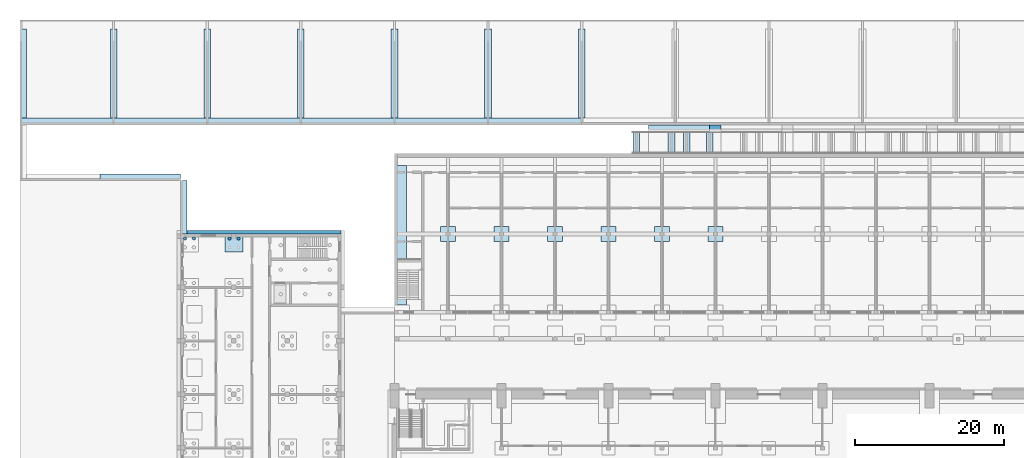
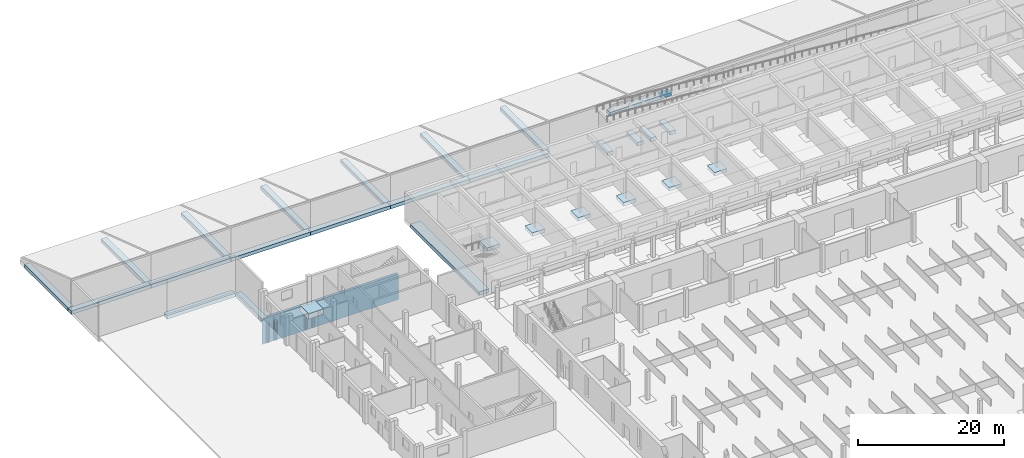
# One storey, part 11 of 73: 30 footings, 4 piles.
"""IFC4 building model written with IfcOpenShell, lengths in metres."""

from ifc_helpers import new_model, si_unit, direction, frame, origin, origin_2d, place, context, subcontext, project, spatial, polyline, circle, outline, extrude, material, material_profile, profile_set, type_object, element, save


model = new_model("IFC4")

# Units and contexts
model_context = context("Model", 3, precision=1e-05, world=origin(), true_north=direction((0.0, 1.0)))
body_context = subcontext(model_context, "Body", "Model", "MODEL_VIEW")
ifc_project = project(units=[si_unit("LENGTHUNIT", "METRE"), si_unit("AREAUNIT", "SQUARE_METRE"), si_unit("VOLUMEUNIT", "CUBIC_METRE"), si_unit("PLANEANGLEUNIT", "RADIAN"), si_unit("MASSUNIT", "GRAM", prefix="KILO")], contexts=[model_context])

# Site, building, storey
site_placement = place(None, origin())
site = spatial("IfcSite", under=ifc_project, at=site_placement, CompositionType="ELEMENT")
building_placement = place(site_placement, origin())
building = spatial("IfcBuilding", under=site, at=building_placement, Name="Alderwick Market Hall", CompositionType="ELEMENT")
storey_placement = place(building_placement, origin())
storey = spatial("IfcBuildingStorey", under=building, at=storey_placement, Name="LG", CompositionType="ELEMENT", Elevation=0.0)

# Footings
ifc_material_1 = material(Name="Concrete 4000 psi (f'c 28 MPa)", Category="concrete")
footing_type_1 = type_object("IfcFootingType", Name="A Pad Footing 2000x2000x600", PredefinedType="PAD_FOOTING", material=ifc_material_1)
footing_1_placement = place(storey_placement, frame((0.0, 0.0, -0.60009765625)))
element("IfcFooting", 1, at=footing_1_placement, inside=storey, type_object=footing_type_1, Name="A.N.pad.M00", PredefinedType="PAD_FOOTING", context=body_context, shape_type="SweptSolid", body=[
    extrude(outline(polyline([(56.60009765625, 128.60009765625), (58.60009765625, 128.60009765625), (58.60009765625, 130.60009765625), (56.60009765625, 130.60009765625), (56.60009765625, 128.60009765625)])), origin(), (0.0, 0.0, 1.0), 0.60009765625),
])
footing_2_placement = place(storey_placement, frame((0.0, 0.0, -0.60009765625)))
element("IfcFooting", 2, at=footing_2_placement, inside=storey, type_object=footing_type_1, Name="A.N.pad.M01", PredefinedType="PAD_FOOTING", context=body_context, shape_type="SweptSolid", body=[
    extrude(outline(polyline([(63.800048828125, 128.60009765625), (65.800048828125, 128.60009765625), (65.800048828125, 130.60009765625), (63.800048828125, 130.60009765625), (63.800048828125, 128.60009765625)])), origin(), (0.0, 0.0, 1.0), 0.60009765625),
])
footing_3_placement = place(storey_placement, frame((0.0, 0.0, -0.60009765625)))
element("IfcFooting", 3, at=footing_3_placement, inside=storey, type_object=footing_type_1, Name="A.N.pad.M02", PredefinedType="PAD_FOOTING", context=body_context, shape_type="SweptSolid", body=[
    extrude(outline(polyline([(71.0, 128.60009765625), (73.0, 128.60009765625), (73.0, 130.60009765625), (71.0, 130.60009765625), (71.0, 128.60009765625)])), origin(), (0.0, 0.0, 1.0), 0.60009765625),
])
footing_4_placement = place(storey_placement, frame((0.0, 0.0, -0.60009765625)))
element("IfcFooting", 4, at=footing_4_placement, inside=storey, type_object=footing_type_1, Name="A.N.pad.M03", PredefinedType="PAD_FOOTING", context=body_context, shape_type="SweptSolid", body=[
    extrude(outline(polyline([(78.199951171875, 128.60009765625), (80.199951171875, 128.60009765625), (80.199951171875, 130.60009765625), (78.199951171875, 130.60009765625), (78.199951171875, 128.60009765625)])), origin(), (0.0, 0.0, 1.0), 0.60009765625),
])
footing_5_placement = place(storey_placement, frame((0.0, 0.0, -0.60009765625)))
element("IfcFooting", 5, at=footing_5_placement, inside=storey, type_object=footing_type_1, Name="A.N.pad.M04", PredefinedType="PAD_FOOTING", context=body_context, shape_type="SweptSolid", body=[
    extrude(outline(polyline([(85.39990234375, 128.60009765625), (87.39990234375, 128.60009765625), (87.39990234375, 130.60009765625), (85.39990234375, 130.60009765625), (85.39990234375, 128.60009765625)])), origin(), (0.0, 0.0, 1.0), 0.60009765625),
])
footing_6_placement = place(storey_placement, frame((0.0, 0.0, -0.60009765625)))
element("IfcFooting", 6, at=footing_6_placement, inside=storey, type_object=footing_type_1, Name="A.N.pad.M05", PredefinedType="PAD_FOOTING", context=body_context, shape_type="SweptSolid", body=[
    extrude(outline(polyline([(92.60009765625, 128.60009765625), (94.60009765625, 128.60009765625), (94.60009765625, 130.60009765625), (92.60009765625, 130.60009765625), (92.60009765625, 128.60009765625)])), origin(), (0.0, 0.0, 1.0), 0.60009765625),
])
footing_type_2 = type_object("IfcFootingType", Name="A Strip Footing 1600x600", PredefinedType="STRIP_FOOTING", material=ifc_material_1)
footing_7_placement = place(storey_placement, frame((0.0, 0.0, -0.60009765625)))
element("IfcFooting", 7, at=footing_7_placement, inside=storey, type_object=footing_type_2, Name="A.N.strip.W", PredefinedType="STRIP_FOOTING", context=body_context, shape_type="SweptSolid", body=[
    extrude(outline(polyline([(50.39990234375, 120.050048828125), (52.0, 120.050048828125), (52.0, 138.800048828125), (50.39990234375, 138.800048828125), (50.39990234375, 120.050048828125)])), origin(), (0.0, 0.0, 1.0), 0.60009765625),
])

# Piles
ifc_material_2 = material(Name="Concrete 5000 psi (f'c 35 MPa)", Category="concrete")
ifc_material_profile = material_profile(ifc_material_2, circle(Radius=0.22509765625, at=origin_2d()), Name="B Bored Pile D450")
ifc_profile_set = profile_set([ifc_material_profile], Name="Concrete 5000 psi (f'c 35 MPa)")
pile_type = type_object("IfcPileType", Name="B Bored Pile D450", PredefinedType="BORED", material=ifc_profile_set)
for number, where, z_axis, x_axis, name in (
    (8, (22.199951171875, 129.0, -0.824951171875), (0.0, 0.0, -1.0), (1.0, 0.0, 0.0), "B.N.cap.003-003.pile3"),
    (9, (23.39990234375, 129.0, -0.824951171875), (0.0, 0.0, -1.0), (1.0, 0.0, 0.0), "B.N.cap.003-003.pile4"),
    (10, (28.199951171875, 129.0, -0.824951171875), (0.0, 0.0, -1.0), (1.0, 0.0, 0.0), "B.N.cap.072-003.pile3"),
    (11, (29.39990234375, 129.0, -0.824951171875), (0.0, 0.0, -1.0), (1.0, 0.0, 0.0), "B.N.cap.072-003.pile4"),
):
    element("IfcPile", number, at=place(storey_placement, frame(where, z_axis=z_axis, x_axis=x_axis)), inside=storey, type_object=pile_type, Name=name, PredefinedType="BORED", context=body_context, shape_type="SweptSolid", body=[
        extrude(circle(Radius=0.22509765625, at=origin_2d()), origin(), (0.0, 0.0, 1.0), 3.074951171875),
    ])

# Footings
footing_type_3 = type_object("IfcFootingType", Name="B Pile Cap 2400x2400x900", PredefinedType="PILE_CAP", material=ifc_material_2)
footing_8_placement = place(storey_placement, frame((0.0, 0.0, -0.89990234375)))
element("IfcFooting", 12, at=footing_8_placement, inside=storey, type_object=footing_type_3, Name="B.N.cap.072-003", PredefinedType="PILE_CAP", context=body_context, shape_type="SweptSolid", body=[
    extrude(outline(polyline([(27.60009765625, 127.199951171875), (30.0, 127.199951171875), (30.0, 129.60009765625), (27.60009765625, 129.60009765625), (27.60009765625, 127.199951171875)])), origin(), (0.0, 0.0, 1.0), 0.89990234375),
])
footing_type_4 = type_object("IfcFootingType", Name="S Perimeter Pile Wall 450", PredefinedType="STRIP_FOOTING", material=ifc_material_2)
footing_9_placement = place(storey_placement, frame((0.0, 0.0, -4.5)))
element("IfcFooting", 13, at=footing_9_placement, inside=storey, type_object=footing_type_4, Name="Pile wall Nn 08", PredefinedType="STRIP_FOOTING", context=body_context, shape_type="SweptSolid", body=[
    extrude(outline(polyline([(22.5, 130.050048828125), (22.5, 129.610107421875), (21.60009765625, 129.610107421875), (21.60009765625, 129.60009765625), (24.0, 129.60009765625), (27.60009765625, 129.60009765625), (30.0, 129.60009765625), (33.60009765625, 129.60009765625), (43.199951171875, 129.60009765625), (43.199951171875, 130.050048828125), (22.5, 130.050048828125)])), origin(), (0.0, 0.0, 1.0), 4.25),
])
footing_type_5 = type_object("IfcFootingType", Name="S Strip Footing 900", PredefinedType="STRIP_FOOTING", material=ifc_material_1)
footing_10_placement = place(storey_placement, frame((0.0, 0.0, -0.85009765625)))
element("IfcFooting", 14, at=footing_10_placement, inside=storey, type_object=footing_type_5, Name="S.efoot.03b.1", PredefinedType="STRIP_FOOTING", context=body_context, shape_type="SweptSolid", body=[
    extrude(outline(polyline([(21.60009765625, 137.699951171875), (10.800048828125, 137.699951171875), (10.800048828125, 136.800048828125), (21.60009765625, 136.800048828125), (21.60009765625, 137.699951171875)])), origin(), (0.0, 0.0, 1.0), 0.60009765625),
])
footing_11_placement = place(storey_placement, frame((0.0, 0.0, -0.85009765625)))
element("IfcFooting", 15, at=footing_11_placement, inside=storey, type_object=footing_type_5, Name="S.efoot.04a.1", PredefinedType="STRIP_FOOTING", context=body_context, shape_type="SweptSolid", body=[
    extrude(outline(polyline([(22.5, 129.610107421875), (22.5, 136.800048828125), (21.60009765625, 136.800048828125), (21.60009765625, 129.610107421875), (22.5, 129.610107421875)])), origin(), (0.0, 0.0, 1.0), 0.60009765625),
])
footing_12_placement = place(storey_placement, frame((0.0, 0.0, 3.264404296875)))
element("IfcFooting", 16, at=footing_12_placement, inside=storey, type_object=footing_type_5, Name="S.tfoot.N.13", PredefinedType="STRIP_FOOTING", context=body_context, shape_type="SweptSolid", body=[
    extrude(outline(polyline([(94.3291015625, 143.39990234375), (94.3291015625, 144.300048828125), (92.8291015625, 144.300048828125), (92.8291015625, 143.39990234375), (94.3291015625, 143.39990234375)])), origin(), (0.0, 0.0, 1.0), 0.599853515625),
])
footing_13_placement = place(storey_placement, frame((0.0, 0.0, 3.264404296875)))
element("IfcFooting", 17, at=footing_13_placement, inside=storey, type_object=footing_type_5, Name="S.tfoot.N.14", PredefinedType="STRIP_FOOTING", context=body_context, shape_type="SweptSolid", body=[
    extrude(outline(polyline([(92.8291015625, 143.39990234375), (92.8291015625, 144.300048828125), (84.60009765625, 144.300048828125), (84.60009765625, 143.39990234375), (92.8291015625, 143.39990234375)])), origin(), (0.0, 0.0, 1.0), 0.599853515625),
])
footing_14_placement = place(storey_placement, frame((0.0, 0.0, -0.85009765625)))
element("IfcFooting", 18, at=footing_14_placement, inside=storey, type_object=footing_type_5, Name="Ramp support footing N6c", PredefinedType="STRIP_FOOTING", context=body_context, shape_type="SweptSolid", body=[
    extrude(outline(polyline([(93.279052734375, 140.39990234375), (93.279052734375, 143.39990234375), (92.37890625, 143.39990234375), (92.37890625, 140.39990234375), (93.279052734375, 140.39990234375)])), origin(), (0.0, 0.0, 1.0), 0.60009765625),
])
footing_15_placement = place(storey_placement, frame((0.0, 0.0, -0.85009765625)))
element("IfcFooting", 19, at=footing_15_placement, inside=storey, type_object=footing_type_5, Name="Ramp support footing N7b", PredefinedType="STRIP_FOOTING", context=body_context, shape_type="SweptSolid", body=[
    extrude(outline(polyline([(90.193115234375, 140.39990234375), (90.193115234375, 143.39990234375), (89.293212890625, 143.39990234375), (89.293212890625, 140.39990234375), (90.193115234375, 140.39990234375)])), origin(), (0.0, 0.0, 1.0), 0.60009765625),
])
footing_16_placement = place(storey_placement, frame((0.0, 0.0, -0.85009765625)))
element("IfcFooting", 20, at=footing_16_placement, inside=storey, type_object=footing_type_5, Name="Ramp support footing N7d", PredefinedType="STRIP_FOOTING", context=body_context, shape_type="SweptSolid", body=[
    extrude(outline(polyline([(88.135986328125, 140.39990234375), (88.135986328125, 143.39990234375), (87.23583984375, 143.39990234375), (87.23583984375, 140.39990234375), (88.135986328125, 140.39990234375)])), origin(), (0.0, 0.0, 1.0), 0.60009765625),
])
footing_17_placement = place(storey_placement, frame((0.0, 0.0, -0.85009765625)))
element("IfcFooting", 21, at=footing_17_placement, inside=storey, type_object=footing_type_5, Name="Ramp support footing N7c", PredefinedType="STRIP_FOOTING", context=body_context, shape_type="SweptSolid", body=[
    extrude(outline(polyline([(83.39990234375, 140.39990234375), (83.39990234375, 143.39990234375), (82.5, 143.39990234375), (82.5, 140.39990234375), (83.39990234375, 140.39990234375)])), origin(), (0.0, 0.0, 1.0), 0.60009765625),
])
footing_18_placement = place(storey_placement, frame((0.0, 0.0, -0.85009765625)))
element("IfcFooting", 22, at=footing_18_placement, inside=storey, type_object=footing_type_5, Name="S.berm.N.cfoot.01", PredefinedType="STRIP_FOOTING", context=body_context, shape_type="SweptSolid", body=[
    extrude(outline(polyline([(12.60009765625, 144.300048828125), (12.60009765625, 145.199951171875), (0.0, 145.199951171875), (0.0, 144.300048828125), (12.60009765625, 144.300048828125)])), origin(), (0.0, 0.0, 1.0), 0.60009765625),
])
footing_19_placement = place(storey_placement, frame((0.0, 0.0, -0.85009765625)))
element("IfcFooting", 23, at=footing_19_placement, inside=storey, type_object=footing_type_5, Name="S.berm.N.cfoot.02", PredefinedType="STRIP_FOOTING", context=body_context, shape_type="SweptSolid", body=[
    extrude(outline(polyline([(25.199951171875, 144.300048828125), (25.199951171875, 145.199951171875), (12.60009765625, 145.199951171875), (12.60009765625, 144.300048828125), (25.199951171875, 144.300048828125)])), origin(), (0.0, 0.0, 1.0), 0.60009765625),
])
footing_20_placement = place(storey_placement, frame((0.0, 0.0, -0.85009765625)))
element("IfcFooting", 24, at=footing_20_placement, inside=storey, type_object=footing_type_5, Name="S.berm.N.cfoot.03", PredefinedType="STRIP_FOOTING", context=body_context, shape_type="SweptSolid", body=[
    extrude(outline(polyline([(37.800048828125, 144.300048828125), (37.800048828125, 145.199951171875), (25.199951171875, 145.199951171875), (25.199951171875, 144.300048828125), (37.800048828125, 144.300048828125)])), origin(), (0.0, 0.0, 1.0), 0.60009765625),
])
footing_21_placement = place(storey_placement, frame((0.0, 0.0, -0.85009765625)))
element("IfcFooting", 25, at=footing_21_placement, inside=storey, type_object=footing_type_5, Name="S.berm.N.cfoot.04", PredefinedType="STRIP_FOOTING", context=body_context, shape_type="SweptSolid", body=[
    extrude(outline(polyline([(50.39990234375, 144.300048828125), (50.39990234375, 145.199951171875), (37.800048828125, 145.199951171875), (37.800048828125, 144.300048828125), (50.39990234375, 144.300048828125)])), origin(), (0.0, 0.0, 1.0), 0.60009765625),
])
footing_22_placement = place(storey_placement, frame((0.0, 0.0, -0.85009765625)))
element("IfcFooting", 26, at=footing_22_placement, inside=storey, type_object=footing_type_5, Name="S.berm.N.cfoot.05", PredefinedType="STRIP_FOOTING", context=body_context, shape_type="SweptSolid", body=[
    extrude(outline(polyline([(63.0, 144.300048828125), (63.0, 145.199951171875), (50.39990234375, 145.199951171875), (50.39990234375, 144.300048828125), (63.0, 144.300048828125)])), origin(), (0.0, 0.0, 1.0), 0.60009765625),
])
footing_23_placement = place(storey_placement, frame((0.0, 0.0, -0.85009765625)))
element("IfcFooting", 27, at=footing_23_placement, inside=storey, type_object=footing_type_5, Name="S.berm.N.cfoot.06", PredefinedType="STRIP_FOOTING", context=body_context, shape_type="SweptSolid", body=[
    extrude(outline(polyline([(75.60009765625, 144.300048828125), (75.60009765625, 145.199951171875), (63.0, 145.199951171875), (63.0, 144.300048828125), (75.60009765625, 144.300048828125)])), origin(), (0.0, 0.0, 1.0), 0.60009765625),
])
footing_24_placement = place(storey_placement, frame((0.0, 0.0, -0.85009765625)))
element("IfcFooting", 28, at=footing_24_placement, inside=storey, type_object=footing_type_5, Name="S.berm.N.xfoot.01", PredefinedType="STRIP_FOOTING", context=body_context, shape_type="SweptSolid", body=[
    extrude(outline(polyline([(0.89990234375, 145.199951171875), (0.89990234375, 157.199951171875), (0.0, 157.199951171875), (0.0, 145.199951171875), (0.89990234375, 145.199951171875)])), origin(), (0.0, 0.0, 1.0), 0.60009765625),
])
footing_25_placement = place(storey_placement, frame((0.0, 0.0, -0.85009765625)))
element("IfcFooting", 29, at=footing_25_placement, inside=storey, type_object=footing_type_5, Name="S.berm.N.xfoot.02", PredefinedType="STRIP_FOOTING", context=body_context, shape_type="SweptSolid", body=[
    extrude(outline(polyline([(13.050048828125, 145.199951171875), (13.050048828125, 157.199951171875), (12.14990234375, 157.199951171875), (12.14990234375, 145.199951171875), (13.050048828125, 145.199951171875)])), origin(), (0.0, 0.0, 1.0), 0.60009765625),
])
footing_26_placement = place(storey_placement, frame((0.0, 0.0, -0.85009765625)))
element("IfcFooting", 30, at=footing_26_placement, inside=storey, type_object=footing_type_5, Name="S.berm.N.xfoot.03", PredefinedType="STRIP_FOOTING", context=body_context, shape_type="SweptSolid", body=[
    extrude(outline(polyline([(25.64990234375, 145.199951171875), (25.64990234375, 157.199951171875), (24.75, 157.199951171875), (24.75, 145.199951171875), (25.64990234375, 145.199951171875)])), origin(), (0.0, 0.0, 1.0), 0.60009765625),
])
footing_27_placement = place(storey_placement, frame((0.0, 0.0, -0.85009765625)))
element("IfcFooting", 31, at=footing_27_placement, inside=storey, type_object=footing_type_5, Name="S.berm.N.xfoot.04", PredefinedType="STRIP_FOOTING", context=body_context, shape_type="SweptSolid", body=[
    extrude(outline(polyline([(38.25, 145.199951171875), (38.25, 157.199951171875), (37.35009765625, 157.199951171875), (37.35009765625, 145.199951171875), (38.25, 145.199951171875)])), origin(), (0.0, 0.0, 1.0), 0.60009765625),
])
footing_28_placement = place(storey_placement, frame((0.0, 0.0, -0.85009765625)))
element("IfcFooting", 32, at=footing_28_placement, inside=storey, type_object=footing_type_5, Name="S.berm.N.xfoot.05", PredefinedType="STRIP_FOOTING", context=body_context, shape_type="SweptSolid", body=[
    extrude(outline(polyline([(50.85009765625, 145.199951171875), (50.85009765625, 157.199951171875), (49.949951171875, 157.199951171875), (49.949951171875, 145.199951171875), (50.85009765625, 145.199951171875)])), origin(), (0.0, 0.0, 1.0), 0.60009765625),
])
footing_29_placement = place(storey_placement, frame((0.0, 0.0, -0.85009765625)))
element("IfcFooting", 33, at=footing_29_placement, inside=storey, type_object=footing_type_5, Name="S.berm.N.xfoot.06", PredefinedType="STRIP_FOOTING", context=body_context, shape_type="SweptSolid", body=[
    extrude(outline(polyline([(63.449951171875, 145.199951171875), (63.449951171875, 157.199951171875), (62.550048828125, 157.199951171875), (62.550048828125, 145.199951171875), (63.449951171875, 145.199951171875)])), origin(), (0.0, 0.0, 1.0), 0.60009765625),
])
footing_30_placement = place(storey_placement, frame((0.0, 0.0, -0.85009765625)))
element("IfcFooting", 34, at=footing_30_placement, inside=storey, type_object=footing_type_5, Name="S.berm.N.xfoot.07", PredefinedType="STRIP_FOOTING", context=body_context, shape_type="SweptSolid", body=[
    extrude(outline(polyline([(76.050048828125, 145.199951171875), (76.050048828125, 157.199951171875), (75.14990234375, 157.199951171875), (75.14990234375, 145.199951171875), (76.050048828125, 145.199951171875)])), origin(), (0.0, 0.0, 1.0), 0.60009765625),
])

save(model, "model.ifc")
